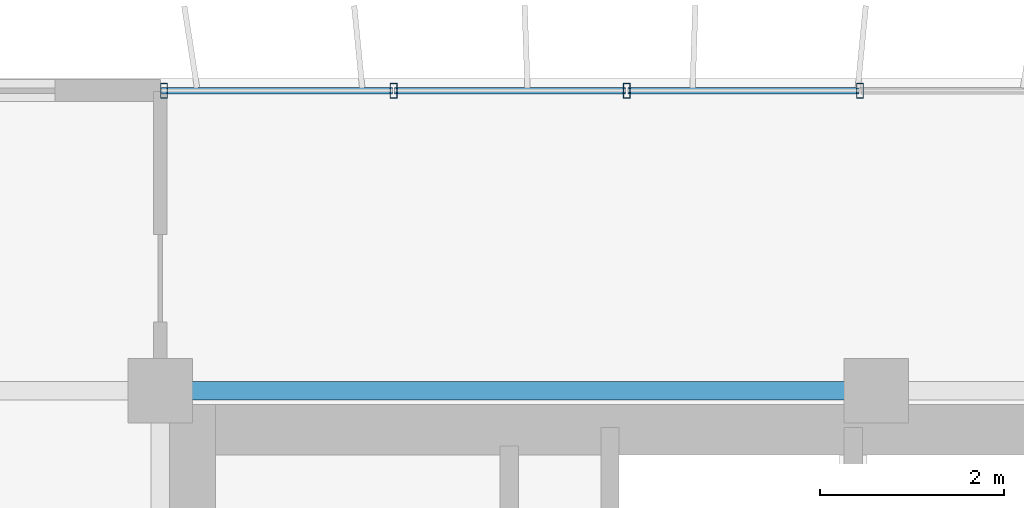
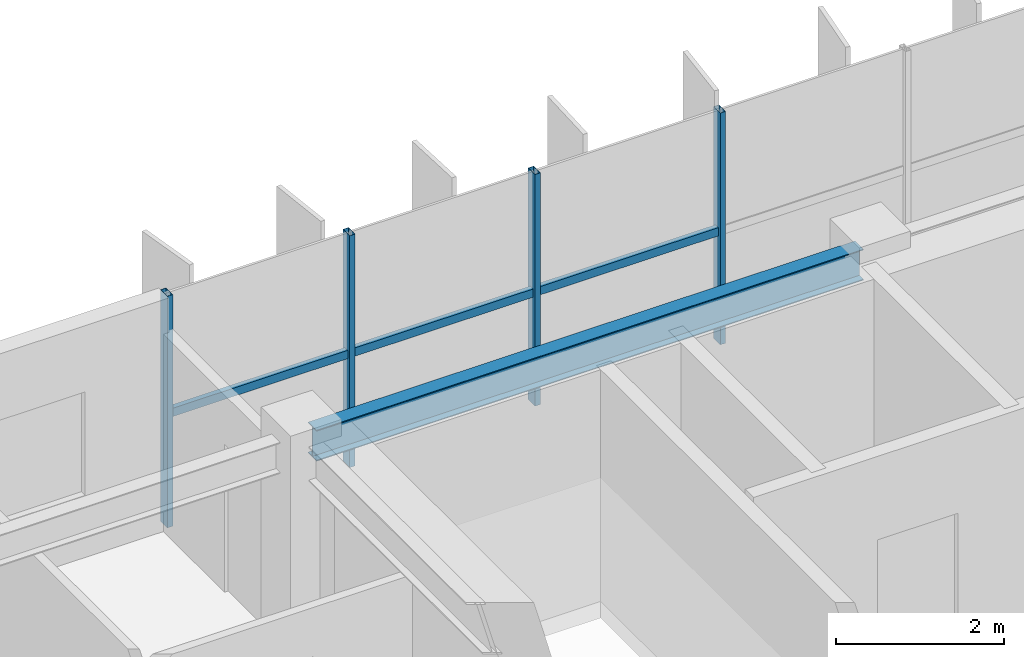
# One storey, part 6 of 23: 7 members, 1 beam, 1 element without a shape of its own.
"""IFC4 building model written with IfcOpenShell, lengths in metres."""

from ifc_helpers import new_model, si_unit, direction, frame, origin, origin_2d, place, context, subcontext, project, spatial, hollow_rectangle, i_section, extrude, source, transform, mapped, material, material_profile, profile_set, type_object, element, aggregate, save


model = new_model("IFC4")

# Units and contexts
model_context = context("Model", 3, precision=1e-05, world=origin(), true_north=direction((0.0, 1.0)))
body_context = subcontext(model_context, "Body", "Model", "MODEL_VIEW")
ifc_project = project(units=[si_unit("LENGTHUNIT", "METRE"), si_unit("AREAUNIT", "SQUARE_METRE"), si_unit("VOLUMEUNIT", "CUBIC_METRE"), si_unit("PLANEANGLEUNIT", "RADIAN"), si_unit("MASSUNIT", "GRAM", prefix="KILO")], contexts=[model_context])

# Site, building, storey
site_placement = place(None, origin())
site = spatial("IfcSite", under=ifc_project, at=site_placement, CompositionType="ELEMENT")
building_placement = place(site_placement, origin())
building = spatial("IfcBuilding", under=site, at=building_placement, Name="Trelvane Seafront Commons", CompositionType="ELEMENT")
storey_placement = place(building_placement, frame((0.0, 0.0, 226.5)))
storey = spatial("IfcBuildingStorey", under=building, at=storey_placement, Name="L59", CompositionType="ELEMENT", Elevation=226.5)

# Beam
ifc_material_1 = material(Name="Steel SM355 (S355)", Category="steel")
ifc_material_profile_1 = material_profile(ifc_material_1, i_section(OverallWidth=0.199951171875, OverallDepth=0.449951171875, WebThickness=0.009033203125, FlangeThickness=0.013916015625, at=origin_2d()), Name="H-450x200x9x14")
ifc_profile_set_1 = profile_set([ifc_material_profile_1], Name="Steel SM355 (S355)")
beam_type = type_object("IfcBeamType", Name="STR-SPD-H450", PredefinedType="SPANDREL", material=ifc_profile_set_1)
shared_shape_1 = source(origin(), body_context, "Body", "SweptSolid", [
    extrude(i_section(OverallWidth=0.199951171875, OverallDepth=0.449951171875, WebThickness=0.009033203125, FlangeThickness=0.013916015625, at=origin_2d()), origin(), (0.0, 0.0, 1.0), 7.5),
])
beam_placement = place(storey_placement, frame((15.75, 45.10009765625, 3.135009765625), z_axis=(1.0, 0.0, 0.0), x_axis=(0.0, 1.0, 0.0)))
element("IfcBeam", 1, at=beam_placement, inside=storey, type_object=beam_type, Name="L59 Primary Girder G-23", PredefinedType="SPANDREL", context=body_context, shape_type="MappedRepresentation", body=[
    mapped(shared_shape_1, transform((0.0, 0.0, 0.0), x_axis=(1.0, 0.0, 0.0), y_axis=(0.0, 1.0, 0.0), z_axis=(0.0, 0.0, 1.0), scale=1.0)),
])

# Curtain wall, members
ifc_material_2 = material(Name="Anodised pale-silver aluminium", Category="aluminium")
curtain_wall_type = type_object("IfcCurtainWallType", Name="ARCH-CW5-UPTOWER", PredefinedType="NOTDEFINED", material=ifc_material_2)
curtain_wall_placement = place(storey_placement, origin())
curtain_wall = element("IfcCurtainWall", 2, at=curtain_wall_placement, inside=storey, type_object=curtain_wall_type, Name="CW-L59-0102", PredefinedType="NOTDEFINED")
ifc_material_profile_2 = material_profile(ifc_material_2, hollow_rectangle(XDim=0.070068359375, YDim=0.1201171875, WallThickness=0.00390625, at=origin_2d()), Name="TRAN-70x120x4")
ifc_profile_set_2 = profile_set([ifc_material_profile_2], Name="Anodised pale-silver aluminium")
member_type_1 = type_object("IfcMemberType", Name="ARCH-CW-TRAN-120", PredefinedType="USERDEFINED", material=ifc_profile_set_2)
shared_shape_2 = source(origin(), body_context, "Body", "SweptSolid", [
    extrude(hollow_rectangle(XDim=0.070068359375, YDim=0.1201171875, WallThickness=0.00390625, at=origin_2d()), origin(), (0.0, 0.0, 1.0), 2.51708984375),
])
member_1_placement = place(storey_placement, frame((15.612060546875, 48.3701171875, 1.613037109375), z_axis=(1.0, 0.0, 0.0), x_axis=(0.0, 1.0, 0.0)))
member_1 = element("IfcMember", 3, at=member_1_placement, type_object=member_type_1, Name="CW-L59-0102-T00", ObjectType="TRANSOM", PredefinedType="USERDEFINED", context=body_context, shape_type="MappedRepresentation", body=[
    mapped(shared_shape_2, transform((0.0, 0.0, 0.0), x_axis=(1.0, 0.0, 0.0), y_axis=(0.0, 1.0, 0.0), z_axis=(0.0, 0.0, 1.0), scale=1.0)),
])
member_2_placement = place(storey_placement, frame((18.1533203125, 48.3701171875, 1.613037109375), z_axis=(1.0, 0.0, 0.0), x_axis=(0.0, 1.0, 0.0)))
member_2 = element("IfcMember", 4, at=member_2_placement, type_object=member_type_1, Name="CW-L59-0102-T01", ObjectType="TRANSOM", PredefinedType="USERDEFINED", context=body_context, shape_type="MappedRepresentation", body=[
    mapped(shared_shape_2, transform((0.0, 0.0, 0.0), x_axis=(1.0, 0.0, 0.0), y_axis=(0.0, 1.0, 0.0), z_axis=(0.0, 0.0, 1.0), scale=1.0)),
])
member_3_placement = place(storey_placement, frame((20.6943359375, 48.3701171875, 1.613037109375), z_axis=(1.0, 0.0, 0.0), x_axis=(0.0, 1.0, 0.0)))
member_3 = element("IfcMember", 5, at=member_3_placement, type_object=member_type_1, Name="CW-L59-0102-T02", ObjectType="TRANSOM", PredefinedType="USERDEFINED", context=body_context, shape_type="MappedRepresentation", body=[
    mapped(shared_shape_2, transform((0.0, 0.0, 0.0), x_axis=(1.0, 0.0, 0.0), y_axis=(0.0, 1.0, 0.0), z_axis=(0.0, 0.0, 1.0), scale=1.0)),
])
ifc_material_profile_3 = material_profile(ifc_material_2, hollow_rectangle(XDim=0.074951171875, YDim=0.159912109375, WallThickness=0.00390625, at=origin_2d()), Name="MULL-75x160x4")
ifc_profile_set_3 = profile_set([ifc_material_profile_3], Name="Anodised pale-silver aluminium")
member_type_2 = type_object("IfcMemberType", Name="ARCH-CW-MULL-160", PredefinedType="MULLION", material=ifc_profile_set_3)
shared_shape_3 = source(origin(), body_context, "Body", "SweptSolid", [
    extrude(hollow_rectangle(XDim=0.074951171875, YDim=0.159912109375, WallThickness=0.00390625, at=origin_2d()), origin(), (0.0, 0.0, 1.0), 3.360107421875),
])
member_4_placement = place(storey_placement, frame((15.639892578125, 48.3701171875, 0.0), z_axis=(0.0, 0.0, 1.0), x_axis=(1.0, 0.0, 0.0)))
member_4 = element("IfcMember", 6, at=member_4_placement, type_object=member_type_2, Name="CW-L59-0102-M00", PredefinedType="MULLION", context=body_context, shape_type="MappedRepresentation", body=[
    mapped(shared_shape_3, transform((0.0, 0.0, 0.0), x_axis=(1.0, 0.0, 0.0), y_axis=(0.0, 1.0, 0.0), z_axis=(0.0, 0.0, 1.0), scale=1.0)),
])
member_5_placement = place(storey_placement, frame((18.14111328125, 48.3701171875, 0.0), z_axis=(0.0, 0.0, 1.0), x_axis=(1.0, 0.0, 0.0)))
member_5 = element("IfcMember", 7, at=member_5_placement, type_object=member_type_2, Name="CW-L59-0102-M01", PredefinedType="MULLION", context=body_context, shape_type="MappedRepresentation", body=[
    mapped(shared_shape_3, transform((0.0, 0.0, 0.0), x_axis=(1.0, 0.0, 0.0), y_axis=(0.0, 1.0, 0.0), z_axis=(0.0, 0.0, 1.0), scale=1.0)),
])
member_6_placement = place(storey_placement, frame((20.682373046875, 48.3701171875, 0.0), z_axis=(0.0, 0.0, 1.0), x_axis=(1.0, 0.0, 0.0)))
member_6 = element("IfcMember", 8, at=member_6_placement, type_object=member_type_2, Name="CW-L59-0102-M02", PredefinedType="MULLION", context=body_context, shape_type="MappedRepresentation", body=[
    mapped(shared_shape_3, transform((0.0, 0.0, 0.0), x_axis=(1.0, 0.0, 0.0), y_axis=(0.0, 1.0, 0.0), z_axis=(0.0, 0.0, 1.0), scale=1.0)),
])
member_7_placement = place(storey_placement, frame((23.223388671875, 48.3701171875, 0.0), z_axis=(0.0, 0.0, 1.0), x_axis=(1.0, 0.0, 0.0)))
member_7 = element("IfcMember", 9, at=member_7_placement, type_object=member_type_2, Name="CW-L59-0102-M03", PredefinedType="MULLION", context=body_context, shape_type="MappedRepresentation", body=[
    mapped(shared_shape_3, transform((0.0, 0.0, 0.0), x_axis=(1.0, 0.0, 0.0), y_axis=(0.0, 1.0, 0.0), z_axis=(0.0, 0.0, 1.0), scale=1.0)),
])
aggregate(curtain_wall, [member_4, member_5, member_6, member_7, member_1, member_2, member_3])

save(model, "model.ifc")
